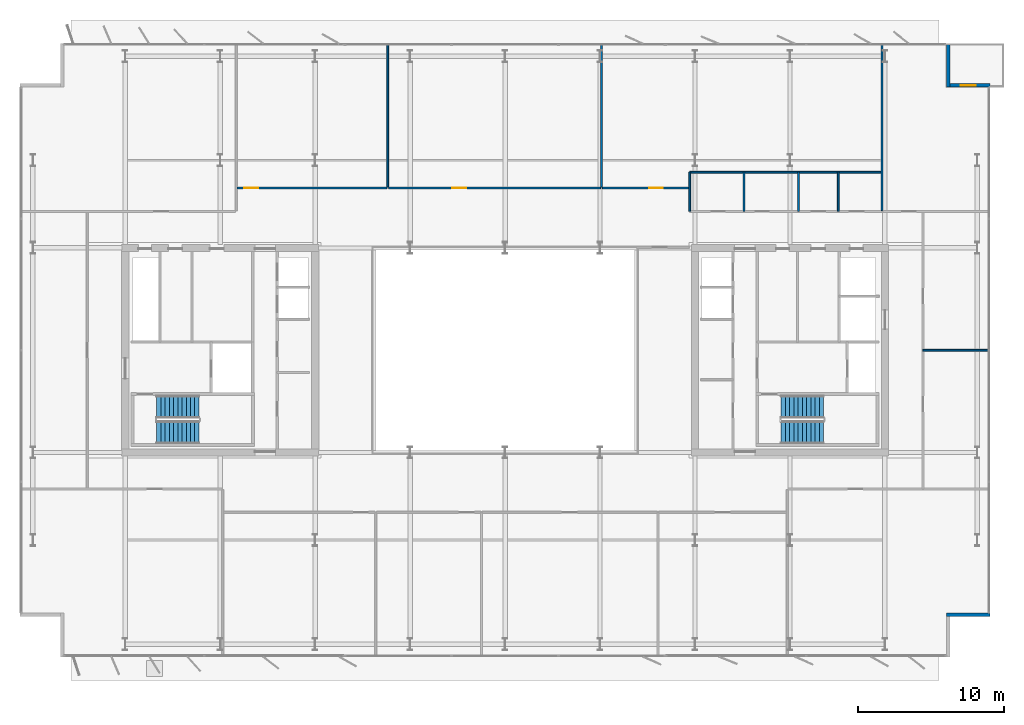
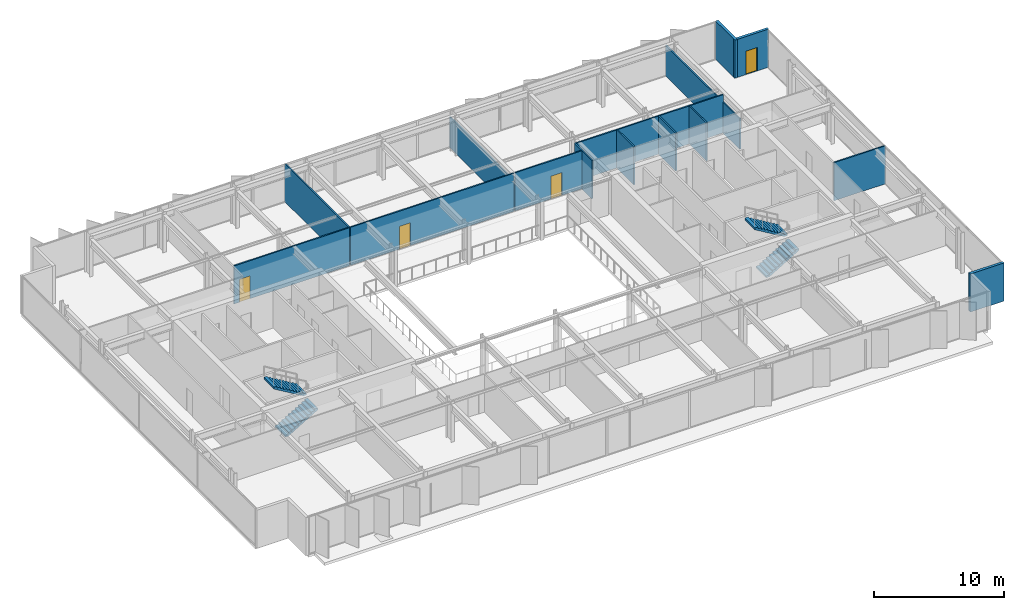
# One storey, part 19 of 23: 15 walls, 4 doors, 4 stair flights, 4 openings, 2 elements without a shape of their own.
"""IFC4 building model written with IfcOpenShell, lengths in metres."""

from ifc_helpers import new_model, si_unit, direction, frame, frame_2d, origin, place, context, subcontext, project, spatial, polyline, rectangle, outline, extrude, material, layer, layer_set, type_object, element, fill, aggregate, save


model = new_model("IFC4")

# Units and contexts
model_context = context("Model", 3, precision=1e-05, world=origin(), true_north=direction((0.0, 1.0)))
body_context = subcontext(model_context, "Body", "Model", "MODEL_VIEW")
ifc_project = project(units=[si_unit("LENGTHUNIT", "METRE"), si_unit("AREAUNIT", "SQUARE_METRE"), si_unit("VOLUMEUNIT", "CUBIC_METRE"), si_unit("PLANEANGLEUNIT", "RADIAN"), si_unit("MASSUNIT", "GRAM", prefix="KILO")], contexts=[model_context])

# Site, building, storey
site_placement = place(None, origin())
site = spatial("IfcSite", under=ifc_project, at=site_placement, CompositionType="ELEMENT")
building_placement = place(site_placement, origin())
building = spatial("IfcBuilding", under=site, at=building_placement, Name="Putna Gate Headquarters", CompositionType="ELEMENT")
storey_placement = place(building_placement, frame((0.0, 0.0, 202.39990234375)))
storey = spatial("IfcBuildingStorey", under=building, at=storey_placement, Name="L50", CompositionType="ELEMENT", Elevation=202.39990234375)

# Wall
ifc_material_1 = material(Name="Precast concrete C40/50", Category="concrete")
ifc_layer_1 = layer(ifc_material_1, 0.239990234375)
ifc_layer_set_1 = layer_set([ifc_layer_1], Name="Precast concrete C40/50")
wall_type_1 = type_object("IfcWallType", Name="WALL-EXT-TERR-240", PredefinedType="STANDARD", material=ifc_layer_set_1)
wall_1_placement = place(storey_placement, frame((69.320068359375, 47.0, 0.0), z_axis=(0.0, 0.0, 1.0), x_axis=(0.0, -1.0, 0.0)))
element("IfcWall", 1, at=wall_1_placement, inside=storey, type_object=wall_type_1, Name="L50 Corner Notch Return Wall NE-V", PredefinedType="STANDARD", context=body_context, shape_type="SweptSolid", body=[
    extrude(rectangle(XDim=3.0, YDim=0.239990234375, at=frame_2d((1.5, 0.0))), origin(), (0.0, 0.0, 1.0), 3.580078125),
])

# Wall, opening, door
wall_2_placement = place(storey_placement, frame((69.199951171875, 44.1201171875, 0.0), z_axis=(0.0, 0.0, 1.0), x_axis=(1.0, 0.0, 0.0)))
wall_2 = element("IfcWall", 2, at=wall_2_placement, inside=storey, type_object=wall_type_1, Name="L50 Corner Notch Return Wall NE-H", PredefinedType="STANDARD", context=body_context, shape_type="SweptSolid", body=[
    extrude(rectangle(XDim=3.0, YDim=0.239990234375, at=frame_2d((1.5, 0.0))), origin(), (0.0, 0.0, 1.0), 3.580078125),
])
opening_1_placement = place(wall_2_placement, frame((1.0, 0.0, 0.0)))
opening_1 = element("IfcOpeningElement", 3, at=opening_1_placement, cuts=wall_2, Name="Opening TRD-1", PredefinedType="OPENING", context=body_context, shape_type="SweptSolid", body=[
    extrude(rectangle(XDim=1.0, YDim=2.199951171875, at=frame_2d((0.5, 1.10009765625))), frame((0.0, 0.1298828125, 0.0), z_axis=(0.0, -1.0, 0.0), x_axis=(1.0, 0.0, 0.0)), (0.0, 0.0, 1.0), 0.260009765625),
])
ifc_material_2 = material(Name="Thermally broken bronze glazed terrace door")
door_type_1 = type_object("IfcDoorType", Name="DOOR-TERR-EXT-1000", OperationType="NOTDEFINED", PredefinedType="DOOR", material=ifc_material_2)
door_1_placement = place(opening_1_placement, origin())
door_1 = element("IfcDoor", 4, at=door_1_placement, inside=storey, type_object=door_type_1, Name="L50 Spiral Sky Terrace Door NE", OperationType="SINGLE_SWING_LEFT", OverallHeight=2.199951171875, OverallWidth=1.0, PredefinedType="DOOR", context=body_context, shape_type="SweptSolid", body=[
    extrude(rectangle(XDim=1.0, YDim=2.199951171875, at=frame_2d((0.5, 1.10009765625))), frame((0.0, 0.02490234375, 0.0), z_axis=(0.0, -1.0, 0.0), x_axis=(1.0, 0.0, 0.0)), (0.0, 0.0, 1.0), 0.050048828125),
])
fill(opening_1, door_1)

# Walls
wall_3_placement = place(storey_placement, frame((72.199951171875, 7.8798828125, 0.0), z_axis=(0.0, 0.0, 1.0), x_axis=(-1.0, 0.0, 0.0)))
element("IfcWall", 5, at=wall_3_placement, inside=storey, type_object=wall_type_1, Name="L50 Corner Notch Return Wall SE-H", PredefinedType="STANDARD", context=body_context, shape_type="SweptSolid", body=[
    extrude(rectangle(XDim=3.0, YDim=0.239990234375, at=frame_2d((1.5, 0.0))), origin(), (0.0, 0.0, 1.0), 3.580078125),
])
ifc_material_3 = material(Name="Acoustic gypsum board on metal stud")
ifc_layer_2 = layer(ifc_material_3, 0.1201171875)
ifc_layer_set_2 = layer_set([ifc_layer_2], Name="Acoustic gypsum board on metal stud")
wall_type_2 = type_object("IfcWallType", Name="WALL-PART-120", PredefinedType="PARTITIONING", material=ifc_layer_set_2)
wall_4_placement = place(storey_placement, frame((30.97119140625, 37.159912109375, 0.0), z_axis=(0.0, 0.0, 1.0), x_axis=(0.0, 1.0, 0.0)))
element("IfcWall", 6, at=wall_4_placement, inside=storey, type_object=wall_type_2, Name="L50 Interior Wall PART-L50-NB-DIV-02", PredefinedType="PARTITIONING", context=body_context, shape_type="SweptSolid", body=[
    extrude(rectangle(XDim=9.820068359375, YDim=0.1201171875, at=frame_2d((4.91015625, 0.0))), origin(), (0.0, 0.0, 1.0), 3.580078125),
])
wall_5_placement = place(storey_placement, frame((45.60009765625, 37.159912109375, 0.0), z_axis=(0.0, 0.0, 1.0), x_axis=(0.0, 1.0, 0.0)))
element("IfcWall", 7, at=wall_5_placement, inside=storey, type_object=wall_type_2, Name="L50 Interior Wall PART-L50-NB-DIV-03", PredefinedType="PARTITIONING", context=body_context, shape_type="SweptSolid", body=[
    extrude(rectangle(XDim=9.820068359375, YDim=0.1201171875, at=frame_2d((4.91015625, 0.0))), origin(), (0.0, 0.0, 1.0), 2.880126953125),
])
wall_6_placement = place(storey_placement, frame((64.800048828125, 35.56005859375, 0.0), z_axis=(0.0, 0.0, 1.0), x_axis=(0.0, 1.0, 0.0)))
element("IfcWall", 8, at=wall_6_placement, inside=storey, type_object=wall_type_2, Name="L50 Interior Wall PART-L50-NB-DIV-04", PredefinedType="PARTITIONING", context=body_context, shape_type="SweptSolid", body=[
    extrude(rectangle(XDim=11.419921875, YDim=0.1201171875, at=frame_2d((5.7099609375, 0.0))), origin(), (0.0, 0.0, 1.0), 2.880126953125),
])
wall_7_placement = place(storey_placement, frame((67.60009765625, 26.0, 0.0), z_axis=(0.0, 0.0, 1.0), x_axis=(1.0, 0.0, 0.0)))
element("IfcWall", 9, at=wall_7_placement, inside=storey, type_object=wall_type_2, Name="L50 Interior Wall PART-L50-EW-DIV-1", PredefinedType="PARTITIONING", context=body_context, shape_type="SweptSolid", body=[
    extrude(rectangle(XDim=4.579833984375, YDim=0.1201171875, at=frame_2d((2.2900390625, 0.0))), origin(), (0.0, 0.0, 1.0), 3.580078125),
])
ifc_material_4 = material(Name="Fire-rated gypsum board on metal stud")
ifc_layer_3 = layer(ifc_material_4, 0.1201171875)
ifc_layer_set_3 = layer_set([ifc_layer_3], Name="Fire-rated gypsum board on metal stud")
wall_type_3 = type_object("IfcWallType", Name="WALL-PART-120-RATED", PredefinedType="PARTITIONING", material=ifc_layer_set_3)
wall_8_placement = place(storey_placement, frame((51.639892578125, 38.179931640625, 0.0), z_axis=(0.0, 0.0, 1.0), x_axis=(1.0, 0.0, 0.0)))
element("IfcWall", 10, at=wall_8_placement, inside=storey, type_object=wall_type_3, Name="L50 Interior Wall PART-L50-SAN-BACK", PredefinedType="PARTITIONING", context=body_context, shape_type="SweptSolid", body=[
    extrude(rectangle(XDim=13.16015625, YDim=0.1201171875, at=frame_2d((6.580078125, 0.0))), origin(), (0.0, 0.0, 1.0), 3.580078125),
])
for number, where, z_axis, x_axis, name in (
    (11, (51.639892578125, 35.5, 0.0), (0.0, 0.0, 1.0), (0.0, 1.0, 0.0), "L50 Interior Wall PART-L50-SAN-DIV-1"),
    (12, (55.360107421875, 35.5, 0.0), (0.0, 0.0, 1.0), (0.0, 1.0, 0.0), "L50 Interior Wall PART-L50-SAN-DIV-2"),
    (13, (59.080078125, 35.5, 0.0), (0.0, 0.0, 1.0), (0.0, 1.0, 0.0), "L50 Interior Wall PART-L50-SAN-DIV-3"),
    (14, (61.800048828125, 35.5, 0.0), (0.0, 0.0, 1.0), (0.0, 1.0, 0.0), "L50 Interior Wall PART-L50-SAN-DIV-4"),
):
    element("IfcWall", number, at=place(storey_placement, frame(where, z_axis=z_axis, x_axis=x_axis)), inside=storey, type_object=wall_type_3, Name=name, PredefinedType="PARTITIONING", context=body_context, shape_type="SweptSolid", body=[
        extrude(rectangle(XDim=2.679931640625, YDim=0.1201171875, at=frame_2d((1.33984375, 0.0))), origin(), (0.0, 0.0, 1.0), 3.580078125),
    ])

# Wall, opening, door
wall_9_placement = place(storey_placement, frame((20.6689453125, 37.10009765625, 0.0), z_axis=(0.0, 0.0, 1.0), x_axis=(1.0, 0.0, 0.0)))
wall_9 = element("IfcWall", 15, at=wall_9_placement, inside=storey, type_object=wall_type_3, Name="L50 Interior Wall PART-L50-NB-CW-02", PredefinedType="PARTITIONING", context=body_context, shape_type="SweptSolid", body=[
    extrude(rectangle(XDim=10.2421875, YDim=0.1201171875, at=frame_2d((5.12109375, 0.0))), origin(), (0.0, 0.0, 1.0), 3.580078125),
])
opening_2_placement = place(wall_9_placement, frame((0.47998046875, 0.0, 0.0)))
opening_2 = element("IfcOpeningElement", 16, at=opening_2_placement, cuts=wall_9, Name="Opening FD-95", PredefinedType="OPENING", context=body_context, shape_type="SweptSolid", body=[
    extrude(rectangle(XDim=0.949951171875, YDim=2.14990234375, at=frame_2d((0.47509765625, 1.074951171875))), frame((0.0, 0.070068359375, 0.0), z_axis=(0.0, -1.0, 0.0), x_axis=(1.0, 0.0, 0.0)), (0.0, 0.0, 1.0), 0.14013671875),
])
ifc_material_5 = material(Name="Acoustic timber fire door", Category="wood")
door_type_2 = type_object("IfcDoorType", Name="DOOR-FIRE-950", OperationType="NOTDEFINED", PredefinedType="DOOR", material=ifc_material_5)
door_2_placement = place(opening_2_placement, origin())
door_2 = element("IfcDoor", 17, at=door_2_placement, inside=storey, type_object=door_type_2, Name="L50 Quiet Wellness Focus Studio 2 Door", OperationType="SINGLE_SWING_LEFT", OverallHeight=2.14990234375, OverallWidth=0.949951171875, PredefinedType="DOOR", context=body_context, shape_type="SweptSolid", body=[
    extrude(rectangle(XDim=0.949951171875, YDim=2.14990234375, at=frame_2d((0.47509765625, 1.074951171875))), frame((0.0, 0.02490234375, 0.0), z_axis=(0.0, -1.0, 0.0), x_axis=(1.0, 0.0, 0.0)), (0.0, 0.0, 1.0), 0.050048828125),
])
fill(opening_2, door_2)

wall_10_placement = place(storey_placement, frame((31.031005859375, 37.10009765625, 0.0), z_axis=(0.0, 0.0, 1.0), x_axis=(1.0, 0.0, 0.0)))
wall_10 = element("IfcWall", 18, at=wall_10_placement, inside=storey, type_object=wall_type_3, Name="L50 Interior Wall PART-L50-NB-CW-03", PredefinedType="PARTITIONING", context=body_context, shape_type="SweptSolid", body=[
    extrude(rectangle(XDim=14.509033203125, YDim=0.1201171875, at=frame_2d((7.25439453125, 0.0))), origin(), (0.0, 0.0, 1.0), 3.580078125),
])
opening_3_placement = place(wall_10_placement, frame((4.352783203125, 0.0, 0.0)))
opening_3 = element("IfcOpeningElement", 19, at=opening_3_placement, cuts=wall_10, Name="Opening FD-95", PredefinedType="OPENING", context=body_context, shape_type="SweptSolid", body=[
    extrude(rectangle(XDim=0.949951171875, YDim=2.14990234375, at=frame_2d((0.47509765625, 1.074951171875))), frame((0.0, 0.070068359375, 0.0), z_axis=(0.0, -1.0, 0.0), x_axis=(1.0, 0.0, 0.0)), (0.0, 0.0, 1.0), 0.14013671875),
])
door_3_placement = place(opening_3_placement, origin())
door_3 = element("IfcDoor", 20, at=door_3_placement, inside=storey, type_object=door_type_2, Name="L50 Cellular Office 1 Door", OperationType="SINGLE_SWING_RIGHT", OverallHeight=2.14990234375, OverallWidth=0.949951171875, PredefinedType="DOOR", context=body_context, shape_type="SweptSolid", body=[
    extrude(rectangle(XDim=0.949951171875, YDim=2.14990234375, at=frame_2d((0.47509765625, 1.074951171875))), frame((0.0, 0.02490234375, 0.0), z_axis=(0.0, -1.0, 0.0), x_axis=(1.0, 0.0, 0.0)), (0.0, 0.0, 1.0), 0.050048828125),
])
fill(opening_3, door_3)

wall_11_placement = place(storey_placement, frame((45.659912109375, 37.10009765625, 0.0), z_axis=(0.0, 0.0, 1.0), x_axis=(1.0, 0.0, 0.0)))
wall_11 = element("IfcWall", 21, at=wall_11_placement, inside=storey, type_object=wall_type_3, Name="L50 Interior Wall PART-L50-NB-CW-04", PredefinedType="PARTITIONING", context=body_context, shape_type="SweptSolid", body=[
    extrude(rectangle(XDim=5.920166015625, YDim=0.1201171875, at=frame_2d((2.9599609375, 0.0))), origin(), (0.0, 0.0, 1.0), 3.580078125),
])
opening_4_placement = place(wall_11_placement, frame((3.194091796875, 0.0, 0.0)))
opening_4 = element("IfcOpeningElement", 22, at=opening_4_placement, cuts=wall_11, Name="Opening FD-95", PredefinedType="OPENING", context=body_context, shape_type="SweptSolid", body=[
    extrude(rectangle(XDim=0.949951171875, YDim=2.14990234375, at=frame_2d((0.47509765625, 1.074951171875))), frame((0.0, 0.070068359375, 0.0), z_axis=(0.0, -1.0, 0.0), x_axis=(1.0, 0.0, 0.0)), (0.0, 0.0, 1.0), 0.14013671875),
])
door_4_placement = place(opening_4_placement, origin())
door_4 = element("IfcDoor", 23, at=door_4_placement, inside=storey, type_object=door_type_2, Name="L50 Primary Open Office Workplace Door", OperationType="SINGLE_SWING_LEFT", OverallHeight=2.14990234375, OverallWidth=0.949951171875, PredefinedType="DOOR", context=body_context, shape_type="SweptSolid", body=[
    extrude(rectangle(XDim=0.949951171875, YDim=2.14990234375, at=frame_2d((0.47509765625, 1.074951171875))), frame((0.0, 0.02490234375, 0.0), z_axis=(0.0, -1.0, 0.0), x_axis=(1.0, 0.0, 0.0)), (0.0, 0.0, 1.0), 0.050048828125),
])
fill(opening_4, door_4)

# Stair, stair flights
ifc_material_6 = material(Name="Concrete C40/50", Category="concrete")
stair_type_1 = type_object("IfcStairType", Name="STAIR-ST1", PredefinedType="HALF_TURN_STAIR", material=ifc_material_6)
stair_1_placement = place(storey_placement, origin())
stair_1 = element("IfcStair", 24, at=stair_1_placement, inside=storey, type_object=stair_type_1, Name="L50 West Core Exit Stair ST1", PredefinedType="HALF_TURN_STAIR")
stair_flight_type_1 = type_object("IfcStairFlightType", Name="FLIGHT-ST1", PredefinedType="STRAIGHT", material=ifc_material_6)
stair_flight_1_placement = place(storey_placement, frame((15.14990234375, 20.375, 0.0), z_axis=(0.0, 0.0, 1.0), x_axis=(1.0, 0.0, 0.0)))
stair_flight_1 = element("IfcStairFlight", 25, at=stair_flight_1_placement, type_object=stair_flight_type_1, Name="ST1 flight 1", NumberOfRisers=11, NumberOfTreads=10, PredefinedType="STRAIGHT", RiserHeight=0.172727273, TreadLength=0.29, context=body_context, shape_type="SweptSolid", body=[
    extrude(outline(polyline([(0.0, 0.0), (0.0, 0.172607421875), (0.2900390625, 0.172607421875), (0.2900390625, 0.345458984375), (0.580078125, 0.345458984375), (0.580078125, 0.51806640625), (0.8701171875, 0.51806640625), (0.8701171875, 0.69091796875), (1.159912109375, 0.69091796875), (1.159912109375, 0.863525390625), (1.449951171875, 0.863525390625), (1.449951171875, 1.036376953125), (1.739990234375, 1.036376953125), (1.739990234375, 1.208984375), (2.030029296875, 1.208984375), (2.030029296875, 1.3818359375), (2.320068359375, 1.3818359375), (2.320068359375, 1.554443359375), (2.610107421875, 1.554443359375), (2.610107421875, 1.727294921875), (2.89990234375, 1.727294921875), (2.89990234375, 1.89990234375), (2.89990234375, 1.552734375), (0.29296875, 0.0), (0.0, 0.0)])), frame((0.0, 0.77490234375, 0.0), z_axis=(0.0, -1.0, 0.0), x_axis=(1.0, 0.0, 0.0)), (0.0, 0.0, 1.0), 1.550048828125),
])
stair_flight_2_placement = place(storey_placement, frame((18.050048828125, 22.125, 1.900146484375), z_axis=(0.0, 0.0, 1.0), x_axis=(-1.0, 0.0, 0.0)))
stair_flight_2 = element("IfcStairFlight", 26, at=stair_flight_2_placement, type_object=stair_flight_type_1, Name="ST1 flight 2", NumberOfRisers=11, NumberOfTreads=10, PredefinedType="STRAIGHT", RiserHeight=0.172727273, TreadLength=0.29, context=body_context, shape_type="SweptSolid", body=[
    extrude(outline(polyline([(0.0, 0.0), (0.0, 0.172607421875), (0.2900390625, 0.172607421875), (0.2900390625, 0.345458984375), (0.580078125, 0.345458984375), (0.580078125, 0.51806640625), (0.8701171875, 0.51806640625), (0.8701171875, 0.69091796875), (1.159912109375, 0.69091796875), (1.159912109375, 0.863525390625), (1.449951171875, 0.863525390625), (1.449951171875, 1.036376953125), (1.739990234375, 1.036376953125), (1.739990234375, 1.208984375), (2.030029296875, 1.208984375), (2.030029296875, 1.3818359375), (2.320068359375, 1.3818359375), (2.320068359375, 1.554443359375), (2.610107421875, 1.554443359375), (2.610107421875, 1.727294921875), (2.89990234375, 1.727294921875), (2.89990234375, 1.89990234375), (2.89990234375, 1.552734375), (0.29296875, 0.0), (0.0, 0.0)])), frame((0.0, 0.77490234375, 0.0), z_axis=(0.0, -1.0, 0.0), x_axis=(1.0, 0.0, 0.0)), (0.0, 0.0, 1.0), 1.550048828125),
])
aggregate(stair_1, [stair_flight_1, stair_flight_2])

stair_type_2 = type_object("IfcStairType", Name="STAIR-ST2", PredefinedType="HALF_TURN_STAIR", material=ifc_material_6)
stair_2_placement = place(storey_placement, origin())
stair_2 = element("IfcStair", 27, at=stair_2_placement, inside=storey, type_object=stair_type_2, Name="L50 East Core Exit Stair ST2", PredefinedType="HALF_TURN_STAIR")
stair_flight_type_2 = type_object("IfcStairFlightType", Name="FLIGHT-ST2", PredefinedType="STRAIGHT", material=ifc_material_6)
stair_flight_3_placement = place(storey_placement, frame((57.89990234375, 20.375, 0.0), z_axis=(0.0, 0.0, 1.0), x_axis=(1.0, 0.0, 0.0)))
stair_flight_3 = element("IfcStairFlight", 28, at=stair_flight_3_placement, type_object=stair_flight_type_2, Name="ST2 flight 1", NumberOfRisers=11, NumberOfTreads=10, PredefinedType="STRAIGHT", RiserHeight=0.172727273, TreadLength=0.29, context=body_context, shape_type="SweptSolid", body=[
    extrude(outline(polyline([(0.0, 0.0), (0.0, 0.172607421875), (0.2900390625, 0.172607421875), (0.2900390625, 0.345458984375), (0.580078125, 0.345458984375), (0.580078125, 0.51806640625), (0.8701171875, 0.51806640625), (0.8701171875, 0.69091796875), (1.159912109375, 0.69091796875), (1.159912109375, 0.863525390625), (1.449951171875, 0.863525390625), (1.449951171875, 1.036376953125), (1.739990234375, 1.036376953125), (1.739990234375, 1.208984375), (2.030029296875, 1.208984375), (2.030029296875, 1.3818359375), (2.320068359375, 1.3818359375), (2.320068359375, 1.554443359375), (2.610107421875, 1.554443359375), (2.610107421875, 1.727294921875), (2.89990234375, 1.727294921875), (2.89990234375, 1.89990234375), (2.89990234375, 1.552734375), (0.29296875, 0.0), (0.0, 0.0)])), frame((0.0, 0.77490234375, 0.0), z_axis=(0.0, -1.0, 0.0), x_axis=(1.0, 0.0, 0.0)), (0.0, 0.0, 1.0), 1.550048828125),
])
stair_flight_4_placement = place(storey_placement, frame((60.800048828125, 22.125, 1.900146484375), z_axis=(0.0, 0.0, 1.0), x_axis=(-1.0, 0.0, 0.0)))
stair_flight_4 = element("IfcStairFlight", 29, at=stair_flight_4_placement, type_object=stair_flight_type_2, Name="ST2 flight 2", NumberOfRisers=11, NumberOfTreads=10, PredefinedType="STRAIGHT", RiserHeight=0.172727273, TreadLength=0.29, context=body_context, shape_type="SweptSolid", body=[
    extrude(outline(polyline([(0.0, 0.0), (0.0, 0.172607421875), (0.2900390625, 0.172607421875), (0.2900390625, 0.345458984375), (0.580078125, 0.345458984375), (0.580078125, 0.51806640625), (0.8701171875, 0.51806640625), (0.8701171875, 0.69091796875), (1.159912109375, 0.69091796875), (1.159912109375, 0.863525390625), (1.449951171875, 0.863525390625), (1.449951171875, 1.036376953125), (1.739990234375, 1.036376953125), (1.739990234375, 1.208984375), (2.030029296875, 1.208984375), (2.030029296875, 1.3818359375), (2.320068359375, 1.3818359375), (2.320068359375, 1.554443359375), (2.610107421875, 1.554443359375), (2.610107421875, 1.727294921875), (2.89990234375, 1.727294921875), (2.89990234375, 1.89990234375), (2.89990234375, 1.552734375), (0.29296875, 0.0), (0.0, 0.0)])), frame((0.0, 0.77490234375, 0.0), z_axis=(0.0, -1.0, 0.0), x_axis=(1.0, 0.0, 0.0)), (0.0, 0.0, 1.0), 1.550048828125),
])
aggregate(stair_2, [stair_flight_3, stair_flight_4])

save(model, "model.ifc")
